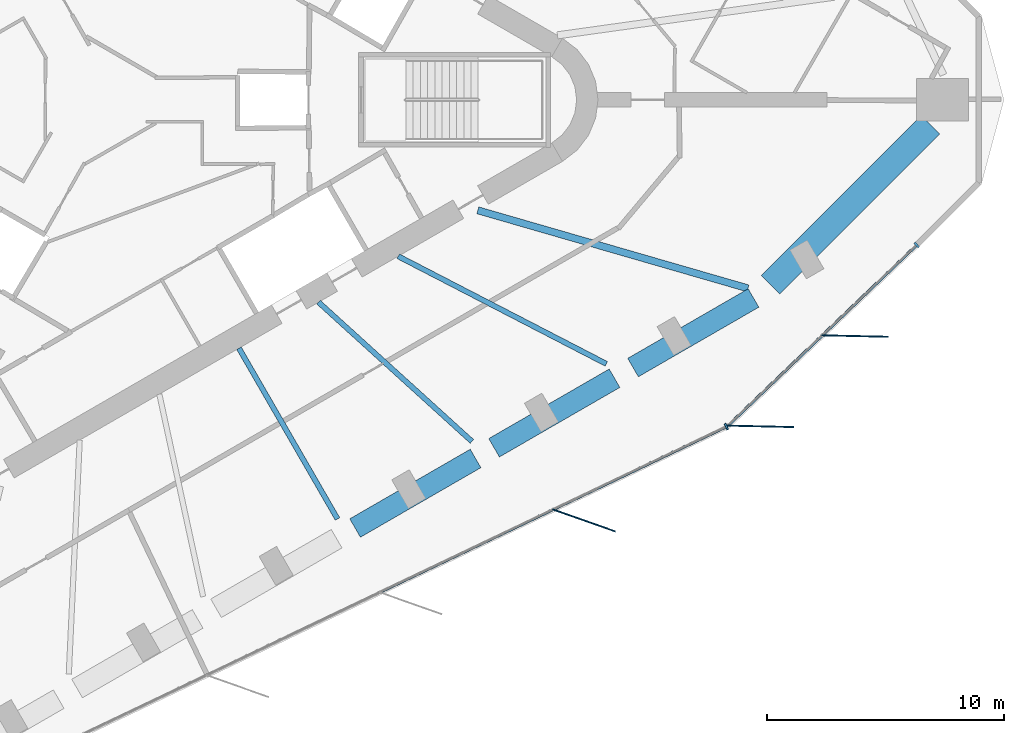
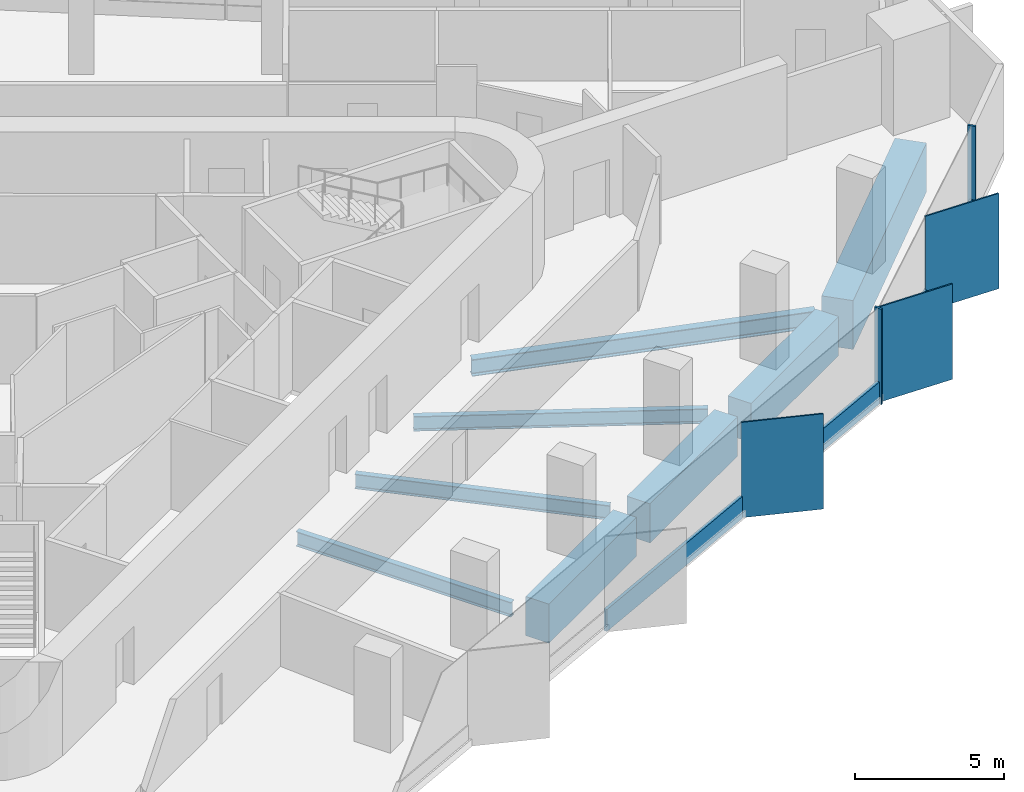
# One storey, part 3 of 14: 9 members, 8 beams, 2 elements without a shape of their own.
"""IFC4 building model written with IfcOpenShell, lengths in metres."""

from ifc_helpers import new_model, si_unit, direction, frame, origin, origin_2d, place, context, subcontext, project, spatial, rectangle, i_section, extrude, material, material_profile, profile_set, type_object, element, aggregate, save


model = new_model("IFC4")

# Units and contexts
model_context = context("Model", 3, precision=1e-05, world=origin(), true_north=direction((0.0, 1.0)))
body_context = subcontext(model_context, "Body", "Model", "MODEL_VIEW")
ifc_project = project(units=[si_unit("LENGTHUNIT", "METRE"), si_unit("AREAUNIT", "SQUARE_METRE"), si_unit("VOLUMEUNIT", "CUBIC_METRE"), si_unit("PLANEANGLEUNIT", "RADIAN"), si_unit("MASSUNIT", "GRAM", prefix="KILO")], contexts=[model_context])

# Site, building, storey
site_placement = place(None, origin())
site = spatial("IfcSite", under=ifc_project, at=site_placement, CompositionType="ELEMENT")
building_placement = place(site_placement, origin())
building = spatial("IfcBuilding", under=site, at=building_placement, Name="Tanit Gate Tower", CompositionType="ELEMENT")
storey_placement = place(building_placement, frame((0.0, 0.0, 298.699951171875)))
storey = spatial("IfcBuildingStorey", under=building, at=storey_placement, Name="L66", CompositionType="ELEMENT", Elevation=298.699951171875)

# Curtain wall, member
ifc_material_1 = material(Name="Aluminium bronze anodised and glass", Category="aluminium")
curtain_wall_type = type_object("IfcCurtainWallType", Name="Curtain wall typical high", PredefinedType="NOTDEFINED", material=ifc_material_1)
curtain_wall_1_placement = place(storey_placement, origin())
curtain_wall_1 = element("IfcCurtainWall", 1, at=curtain_wall_1_placement, inside=storey, type_object=curtain_wall_type, Name="Curtain wall L66 SE2", PredefinedType="NOTDEFINED")
ifc_material_2 = material(Name="Aluminium bronze anodised", Category="aluminium")
ifc_material_profile_1 = material_profile(ifc_material_2, rectangle(XDim=2.800048828125, YDim=0.055908203125, at=origin_2d()), Name="56x2800 bronze fin mullion")
ifc_profile_set_1 = profile_set([ifc_material_profile_1], Name="Aluminium bronze anodised")
member_type_1 = type_object("IfcMemberType", Name="FIN MULLION 56x2800 bronze", PredefinedType="MULLION", material=ifc_profile_set_1)
member_1_placement = place(storey_placement, frame((20.607177734375, -17.743408203125, -0.300048828125), z_axis=(0.0, 0.0, 1.0), x_axis=(-0.942849080727, 0.333220063881, 0.0)))
member_1 = element("IfcMember", 2, at=member_1_placement, type_object=member_type_1, Name="Fin mullion L66 SE2.4", PredefinedType="MULLION", context=body_context, shape_type="SweptSolid", body=[
    extrude(rectangle(XDim=2.800048828125, YDim=0.055908203125, at=origin_2d()), origin(), (0.0, 0.0, 1.0), 3.900146484375),
])

# Curtain wall, members
curtain_wall_2_placement = place(storey_placement, origin())
curtain_wall_2 = element("IfcCurtainWall", 3, at=curtain_wall_2_placement, inside=storey, type_object=curtain_wall_type, Name="Curtain wall L66 SE3", PredefinedType="NOTDEFINED")
member_2_placement = place(storey_placement, frame((28.0634765625, -13.775390625, -0.300048828125), z_axis=(0.0, 0.0, 1.0), x_axis=(-0.999755269503, 0.022122411726, 0.0)))
member_2 = element("IfcMember", 4, at=member_2_placement, type_object=member_type_1, Name="Fin mullion L66 SE3.1", PredefinedType="MULLION", context=body_context, shape_type="SweptSolid", body=[
    extrude(rectangle(XDim=2.800048828125, YDim=0.055908203125, at=origin_2d()), origin(), (0.0, 0.0, 1.0), 3.900146484375),
])
member_3_placement = place(storey_placement, frame((32.04541015625, -9.9658203125, -0.300048828125), z_axis=(0.0, 0.0, 1.0), x_axis=(-0.999755269503, 0.022122411726, 0.0)))
member_3 = element("IfcMember", 5, at=member_3_placement, type_object=member_type_1, Name="Fin mullion L66 SE3.2", PredefinedType="MULLION", context=body_context, shape_type="SweptSolid", body=[
    extrude(rectangle(XDim=2.800048828125, YDim=0.055908203125, at=origin_2d()), origin(), (0.0, 0.0, 1.0), 3.900146484375),
])

# Member
ifc_material_3 = material(Name="Aluminium bronze anodised", Category="aluminium")
ifc_material_profile_2 = material_profile(ifc_material_3, rectangle(XDim=0.280029296875, YDim=0.080078125, at=origin_2d()), Name="80x280 bronze mullion")
ifc_profile_set_2 = profile_set([ifc_material_profile_2], Name="Aluminium bronze anodised")
member_type_2 = type_object("IfcMemberType", Name="Mullion 80x280 typical high", PredefinedType="MULLION", material=ifc_profile_set_2)
member_4_placement = place(storey_placement, frame((26.618408203125, -13.789794921875, -0.300048828125), z_axis=(0.0, 0.0, 1.0), x_axis=(-0.431072811819, 0.902317145415, 0.0)))
member_4 = element("IfcMember", 6, at=member_4_placement, type_object=member_type_2, Name="Mullion L66 SE2.5", PredefinedType="MULLION", context=body_context, shape_type="SweptSolid", body=[
    extrude(rectangle(XDim=0.280029296875, YDim=0.080078125, at=origin_2d()), origin(), (0.0, 0.0, 1.0), 3.900146484375),
])

member_5_placement = place(storey_placement, frame((34.647705078125, -6.12548828125, -0.300048828125), z_axis=(0.0, 0.0, 1.0), x_axis=(-0.691290823245, 0.72257663794, 0.0)))
member_5 = element("IfcMember", 7, at=member_5_placement, type_object=member_type_2, Name="Mullion L66 SE3.3", PredefinedType="MULLION", context=body_context, shape_type="SweptSolid", body=[
    extrude(rectangle(XDim=0.280029296875, YDim=0.080078125, at=origin_2d()), origin(), (0.0, 0.0, 1.0), 3.900146484375),
])

# Beams
ifc_material_4 = material(Name="Steel S355", Category="steel")
ifc_material_profile_3 = material_profile(ifc_material_4, i_section(OverallWidth=0.300048828125, OverallDepth=0.68994140625, WebThickness=0.014404296875, FlangeThickness=0.027099609375, FilletRadius=0.027099609375, at=origin_2d()), Name="HEA 700")
ifc_profile_set_3 = profile_set([ifc_material_profile_3], Name="Steel S355")
beam_type_1 = type_object("IfcBeamType", Name="RADIAL GIRDER HEA 700 S355", PredefinedType="BEAM", material=ifc_profile_set_3)
beam_1_placement = place(storey_placement, frame((27.528564453125, -7.955078125, -0.64501953125), z_axis=(-0.960692598628, 0.277614356511, 0.0), x_axis=(-0.277614356511, -0.960692598628, 0.0)))
element("IfcBeam", 8, at=beam_1_placement, inside=storey, type_object=beam_type_1, Name="RADIAL GIRDER", PredefinedType="BEAM", context=body_context, shape_type="SweptSolid", body=[
    extrude(i_section(OverallWidth=0.300048828125, OverallDepth=0.68994140625, WebThickness=0.014404296875, FlangeThickness=0.027099609375, FilletRadius=0.027099609375, at=origin_2d()), origin(), (0.0, 0.0, 1.0), 11.8642578125),
])
ifc_material_5 = material(Name="Steel S355", Category="steel")
ifc_material_profile_4 = material_profile(ifc_material_5, i_section(OverallWidth=0.219970703125, OverallDepth=0.60009765625, WebThickness=0.011962890625, FlangeThickness=0.01904296875, FilletRadius=0.02392578125, at=origin_2d()), Name="IPE 600")
ifc_profile_set_4 = profile_set([ifc_material_profile_4], Name="Steel S355")
beam_type_2 = type_object("IfcBeamType", Name="RADIAL GIRDER IPE 600 S355", PredefinedType="BEAM", material=ifc_profile_set_4)
beam_2_placement = place(storey_placement, frame((10.210693359375, -17.685546875, -0.599853515625), z_axis=(-0.499995954789, 0.866027739276, 0.0), x_axis=(-0.866027739276, -0.499995954789, 0.0)))
element("IfcBeam", 9, at=beam_2_placement, inside=storey, type_object=beam_type_2, Name="RADIAL GIRDER", PredefinedType="BEAM", context=body_context, shape_type="SweptSolid", body=[
    extrude(i_section(OverallWidth=0.219970703125, OverallDepth=0.60009765625, WebThickness=0.011962890625, FlangeThickness=0.01904296875, FilletRadius=0.02392578125, at=origin_2d()), origin(), (0.0, 0.0, 1.0), 8.3193359375),
])
beam_3_placement = place(storey_placement, frame((15.88037109375, -14.412109375, -0.599853515625), z_axis=(-0.740510084362, 0.672045247701, 0.0), x_axis=(-0.672045247701, -0.740510084362, 0.0)))
element("IfcBeam", 10, at=beam_3_placement, inside=storey, type_object=beam_type_2, Name="RADIAL GIRDER", PredefinedType="BEAM", context=body_context, shape_type="SweptSolid", body=[
    extrude(i_section(OverallWidth=0.219970703125, OverallDepth=0.60009765625, WebThickness=0.011962890625, FlangeThickness=0.01904296875, FilletRadius=0.02392578125, at=origin_2d()), origin(), (0.0, 0.0, 1.0), 8.736572265625),
])
beam_4_placement = place(storey_placement, frame((21.5498046875, -11.138916015625, -0.599853515625), z_axis=(-0.888343449029, 0.459179612534, 0.0), x_axis=(-0.459179612534, -0.888343449029, 0.0)))
element("IfcBeam", 11, at=beam_4_placement, inside=storey, type_object=beam_type_2, Name="RADIAL GIRDER", PredefinedType="BEAM", context=body_context, shape_type="SweptSolid", body=[
    extrude(i_section(OverallWidth=0.219970703125, OverallDepth=0.60009765625, WebThickness=0.011962890625, FlangeThickness=0.01904296875, FilletRadius=0.02392578125, at=origin_2d()), origin(), (0.0, 0.0, 1.0), 9.882568359375),
])
ifc_material_6 = material(Name="Concrete C60/75", Category="concrete")
ifc_material_profile_5 = material_profile(ifc_material_6, rectangle(XDim=1.10009765625, YDim=2.0, at=origin_2d()), Name="RC 1100x2000")
ifc_profile_set_5 = profile_set([ifc_material_profile_5], Name="Concrete C60/75")
beam_type_3 = type_object("IfcBeamType", Name="TRANSFER GIRDER 1100x2000 C60/75", PredefinedType="USERDEFINED", material=ifc_profile_set_5)
beam_5_placement = place(storey_placement, frame((28.4814453125, -7.805419921875, -1.300048828125), z_axis=(0.706351701878, 0.707861055049, 0.0), x_axis=(-0.707861055049, 0.706351701878, 0.0)))
element("IfcBeam", 12, at=beam_5_placement, inside=storey, type_object=beam_type_3, Name="TRANSFER GIRDER", ObjectType="GIRDER", PredefinedType="USERDEFINED", context=body_context, shape_type="SweptSolid", body=[
    extrude(rectangle(XDim=1.10009765625, YDim=2.0, at=origin_2d()), origin(), (0.0, 0.0, 1.0), 9.54345703125),
])
ifc_material_7 = material(Name="Concrete C60/75", Category="concrete")
ifc_material_profile_6 = material_profile(ifc_material_7, rectangle(XDim=0.89990234375, YDim=1.60009765625, at=origin_2d()), Name="RC 900x1600")
ifc_profile_set_6 = profile_set([ifc_material_profile_6], Name="Concrete C60/75")
beam_type_4 = type_object("IfcBeamType", Name="TRANSFER GIRDER 900x1600 C60/75", PredefinedType="USERDEFINED", material=ifc_profile_set_6)
for number, where, z_axis, x_axis, name in (
    (13, (10.950439453125, -18.066650390625, -1.099853515625), (0.866023543838, 0.500003221507, 0.0), (-0.500003221507, 0.866023543838, 0.0), "TRANSFER GIRDER"),
    (14, (16.814208984375, -14.68115234375, -1.099853515625), (0.866023543838, 0.500003221507, 0.0), (-0.500003221507, 0.866023543838, 0.0), "TRANSFER GIRDER"),
    (15, (22.677978515625, -11.295654296875, -1.099853515625), (0.866023543838, 0.500003221507, 0.0), (-0.500003221507, 0.866023543838, 0.0), "TRANSFER GIRDER"),
):
    element("IfcBeam", number, at=place(storey_placement, frame(where, z_axis=z_axis, x_axis=x_axis)), inside=storey, type_object=beam_type_4, Name=name, ObjectType="GIRDER", PredefinedType="USERDEFINED", context=body_context, shape_type="SweptSolid", body=[
        extrude(rectangle(XDim=0.89990234375, YDim=1.60009765625, at=origin_2d()), origin(), (0.0, 0.0, 1.0), 5.87109375),
    ])

# Member
ifc_material_8 = material(Name="Aluminium bronze anodised", Category="aluminium")
ifc_material_profile_7 = material_profile(ifc_material_8, rectangle(XDim=0.1201171875, YDim=0.89990234375, at=origin_2d()), Name="120x900 bronze transom")
ifc_profile_set_7 = profile_set([ifc_material_profile_7], Name="Aluminium bronze anodised")
member_type_3 = type_object("IfcMemberType", Name="Transom 120x900 typical high", PredefinedType="USERDEFINED", material=ifc_profile_set_7)
member_6_placement = place(storey_placement, frame((12.029052734375, -20.759765625, 0.150146484375), z_axis=(0.902321041517, 0.431064656446, 0.0), x_axis=(-0.431064656446, 0.902321041517, 0.0)))
member_6 = element("IfcMember", 16, at=member_6_placement, type_object=member_type_3, Name="Transom L66 SE2.3", ObjectType="TRANSOM", PredefinedType="USERDEFINED", context=body_context, shape_type="SweptSolid", body=[
    extrude(rectangle(XDim=0.1201171875, YDim=0.89990234375, at=origin_2d()), origin(), (0.0, 0.0, 1.0), 8.024169921875),
])

member_7_placement = place(storey_placement, frame((19.341796875, -17.26611328125, 0.150146484375), z_axis=(0.902321041517, 0.431064656446, 0.0), x_axis=(-0.431064656446, 0.902321041517, 0.0)))
member_7 = element("IfcMember", 17, at=member_7_placement, type_object=member_type_3, Name="Transom L66 SE2.4", ObjectType="TRANSOM", PredefinedType="USERDEFINED", context=body_context, shape_type="SweptSolid", body=[
    extrude(rectangle(XDim=0.1201171875, YDim=0.89990234375, at=origin_2d()), origin(), (0.0, 0.0, 1.0), 8.024169921875),
])

aggregate(curtain_wall_1, [member_1, member_4, member_6, member_7])

member_8_placement = place(storey_placement, frame((26.71240234375, -13.71728515625, 0.150146484375), z_axis=(0.722577419637, 0.69129000617, 0.0), x_axis=(-0.69129000617, 0.722577419637, 0.0)))
member_8 = element("IfcMember", 18, at=member_8_placement, type_object=member_type_3, Name="Transom L66 SE3.1", ObjectType="TRANSOM", PredefinedType="USERDEFINED", context=body_context, shape_type="SweptSolid", body=[
    extrude(rectangle(XDim=0.1201171875, YDim=0.89990234375, at=origin_2d()), origin(), (0.0, 0.0, 1.0), 5.430908203125),
])

member_9_placement = place(storey_placement, frame((30.694580078125, -9.907470703125, 0.150146484375), z_axis=(0.722577419637, 0.69129000617, 0.0), x_axis=(-0.69129000617, 0.722577419637, 0.0)))
member_9 = element("IfcMember", 19, at=member_9_placement, type_object=member_type_3, Name="Transom L66 SE3.2", ObjectType="TRANSOM", PredefinedType="USERDEFINED", context=body_context, shape_type="SweptSolid", body=[
    extrude(rectangle(XDim=0.1201171875, YDim=0.89990234375, at=origin_2d()), origin(), (0.0, 0.0, 1.0), 5.430908203125),
])

aggregate(curtain_wall_2, [member_2, member_3, member_5, member_8, member_9])

save(model, "model.ifc")
